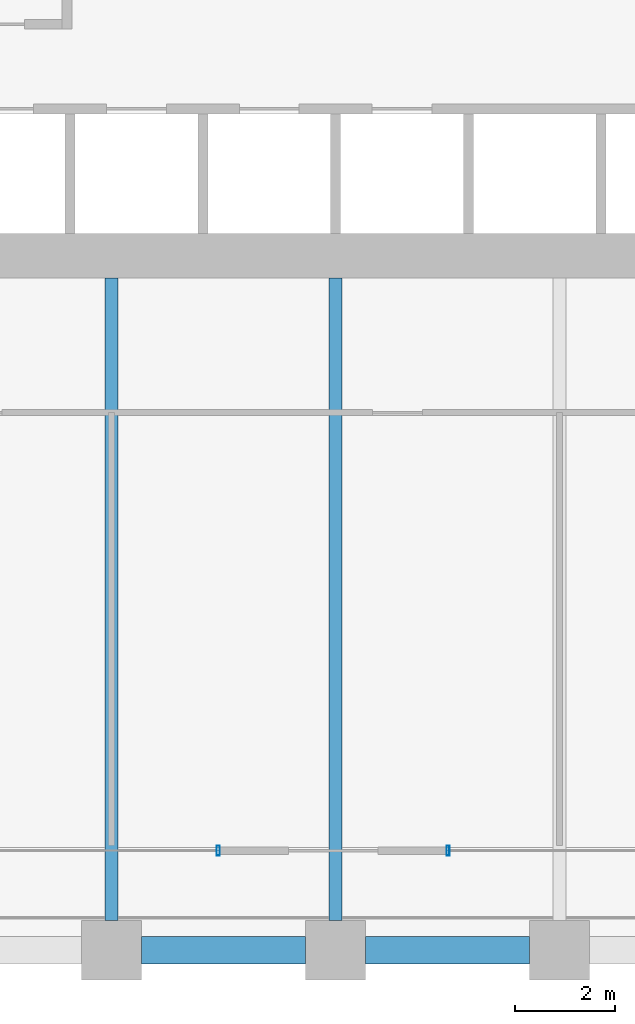
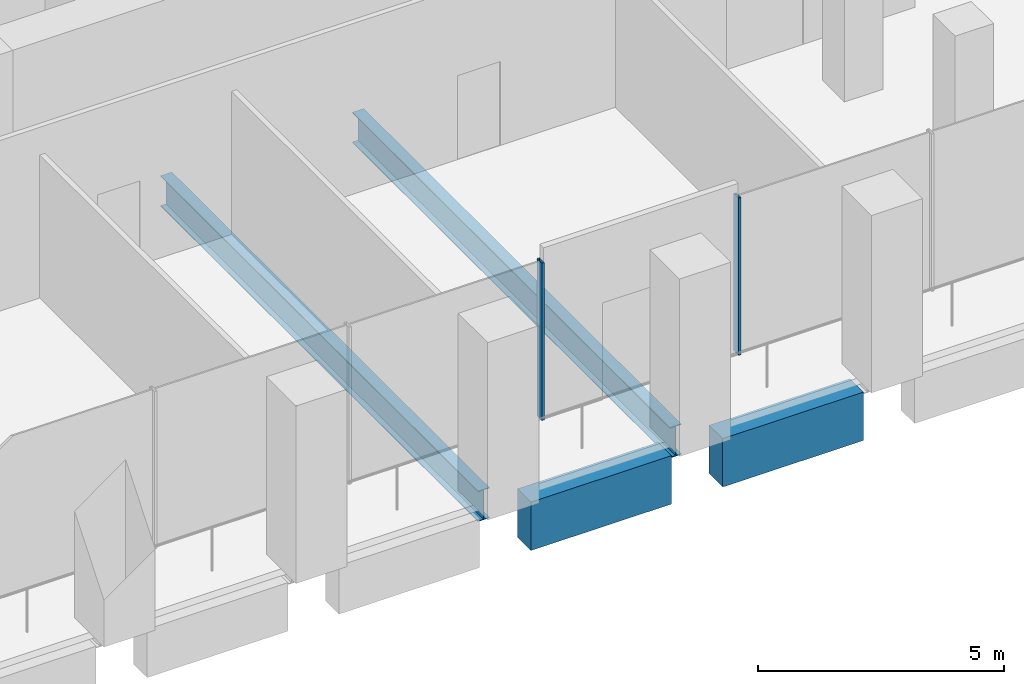
# One storey, part 5 of 36: 4 beams, 2 members, 2 elements without a shape of their own.
"""IFC4 building model written with IfcOpenShell, lengths in metres."""

from ifc_helpers import new_model, si_unit, direction, frame, origin, origin_2d, place, context, subcontext, project, spatial, rectangle, hollow_rectangle, i_section, extrude, material, material_profile, profile_set, type_object, element, aggregate, save


model = new_model("IFC4")

# Units and contexts
model_context = context("Model", 3, precision=1e-05, world=origin(), true_north=direction((0.0, 1.0)))
body_context = subcontext(model_context, "Body", "Model", "MODEL_VIEW")
ifc_project = project(units=[si_unit("LENGTHUNIT", "METRE"), si_unit("AREAUNIT", "SQUARE_METRE"), si_unit("VOLUMEUNIT", "CUBIC_METRE"), si_unit("PLANEANGLEUNIT", "RADIAN"), si_unit("MASSUNIT", "GRAM", prefix="KILO")], contexts=[model_context])

# Site, building, storey
site_placement = place(None, origin())
site = spatial("IfcSite", under=ifc_project, at=site_placement, CompositionType="ELEMENT")
building_placement = place(site_placement, origin())
building = spatial("IfcBuilding", under=site, at=building_placement, Name="Altepetl Exchange Towers", CompositionType="ELEMENT")
storey_placement = place(building_placement, frame((0.0, 0.0, 43.0)))
storey = spatial("IfcBuildingStorey", under=building, at=storey_placement, Name="L09", CompositionType="ELEMENT", Elevation=43.0)

# Beams
ifc_material_1 = material(Name="Steel S355", Category="steel")
ifc_material_profile_1 = material_profile(ifc_material_1, i_section(OverallWidth=0.26611328125, OverallDepth=0.758056640625, WebThickness=0.013916015625, FlangeThickness=0.019287109375, at=origin_2d()), Name="W30X108")
ifc_profile_set_1 = profile_set([ifc_material_profile_1], Name="Steel S355")
beam_type_1 = type_object("IfcBeamType", Name="Floor beam W30X108", PredefinedType="BEAM", material=ifc_profile_set_1)
for number, where, z_axis, x_axis, name in (
    (1, (45.0, 27.60009765625, -0.553955078125), (0.0, 1.0, 0.0), (-1.0, 0.0, 0.0), "bm:A:L09:015"),
    (2, (49.5, 27.60009765625, -0.553955078125), (0.0, 1.0, 0.0), (-1.0, 0.0, 0.0), "bm:A:L09:016"),
):
    element("IfcBeam", number, at=place(storey_placement, frame(where, z_axis=z_axis, x_axis=x_axis)), inside=storey, type_object=beam_type_1, Name=name, PredefinedType="BEAM", context=body_context, shape_type="SweptSolid", body=[
        extrude(i_section(OverallWidth=0.26611328125, OverallDepth=0.758056640625, WebThickness=0.013916015625, FlangeThickness=0.019287109375, at=origin_2d()), origin(), (0.0, 0.0, 1.0), 12.89990234375),
    ])

# Curtain wall, member
ifc_material_2 = material(Name="Aluminium 6063-T6 glazing", Category="aluminium")
curtain_wall_type = type_object("IfcCurtainWallType", Name="Trading floor glazing system", PredefinedType="NOTDEFINED", material=ifc_material_2)
curtain_wall_1_placement = place(storey_placement, origin())
curtain_wall_1 = element("IfcCurtainWall", 3, at=curtain_wall_1_placement, inside=storey, type_object=curtain_wall_type, Name="CW2 run", PredefinedType="NOTDEFINED")
ifc_material_3 = material(Name="Aluminium 6063-T6", Category="aluminium")
ifc_material_profile_2 = material_profile(ifc_material_3, hollow_rectangle(XDim=0.06005859375, YDim=0.199951171875, WallThickness=0.0029296875, at=origin_2d()), Name="Mullion 60x200 aluminium")
ifc_profile_set_2 = profile_set([ifc_material_profile_2], Name="Aluminium 6063-T6")
member_type = type_object("IfcMemberType", Name="Mullion 60x200 aluminium", PredefinedType="MULLION", material=ifc_profile_set_2)
member_1_placement = place(storey_placement, frame((47.141357421875, 29.0, 0.0)))
member_1 = element("IfcMember", 4, at=member_1_placement, type_object=member_type, Name="MU2 mullion", PredefinedType="MULLION", context=body_context, shape_type="SweptSolid", body=[
    extrude(hollow_rectangle(XDim=0.06005859375, YDim=0.199951171875, WallThickness=0.0029296875, at=origin_2d()), origin(), (0.0, 0.0, 1.0), 3.89990234375),
])
aggregate(curtain_wall_1, [member_1])

curtain_wall_2_placement = place(storey_placement, origin())
curtain_wall_2 = element("IfcCurtainWall", 5, at=curtain_wall_2_placement, inside=storey, type_object=curtain_wall_type, Name="CW2 run", PredefinedType="NOTDEFINED")
member_2_placement = place(storey_placement, frame((51.758544921875, 29.0, 0.0)))
member_2 = element("IfcMember", 6, at=member_2_placement, type_object=member_type, Name="MU2 mullion", PredefinedType="MULLION", context=body_context, shape_type="SweptSolid", body=[
    extrude(hollow_rectangle(XDim=0.06005859375, YDim=0.199951171875, WallThickness=0.0029296875, at=origin_2d()), origin(), (0.0, 0.0, 1.0), 3.89990234375),
])
aggregate(curtain_wall_2, [member_2])

# Beams
ifc_material_4 = material(Name="Concrete C50/60 precast with cantera blanca facing", Category="concrete")
ifc_material_profile_3 = material_profile(ifc_material_4, rectangle(XDim=0.550048828125, YDim=1.199951171875, at=origin_2d()), Name="550 x 1200")
ifc_profile_set_3 = profile_set([ifc_material_profile_3], Name="Concrete C50/60 precast with cantera blanca facing")
beam_type_2 = type_object("IfcBeamType", Name="Spandrel beam 550x1200 cantera blanca", PredefinedType="SPANDREL", material=ifc_profile_set_3)
for number, where, z_axis, x_axis, name in (
    (7, (45.60009765625, 27.0, -0.77490234375), (1.0, 0.0, 0.0), (0.0, 1.0, 0.0), "sp:A:L09:003"),
    (8, (50.10009765625, 27.0, -0.77490234375), (1.0, 0.0, 0.0), (0.0, 1.0, 0.0), "sp:A:L09:004"),
):
    element("IfcBeam", number, at=place(storey_placement, frame(where, z_axis=z_axis, x_axis=x_axis)), inside=storey, type_object=beam_type_2, Name=name, PredefinedType="SPANDREL", context=body_context, shape_type="SweptSolid", body=[
        extrude(rectangle(XDim=0.550048828125, YDim=1.199951171875, at=origin_2d()), origin(), (0.0, 0.0, 1.0), 3.2998046875),
    ])

save(model, "model.ifc")
